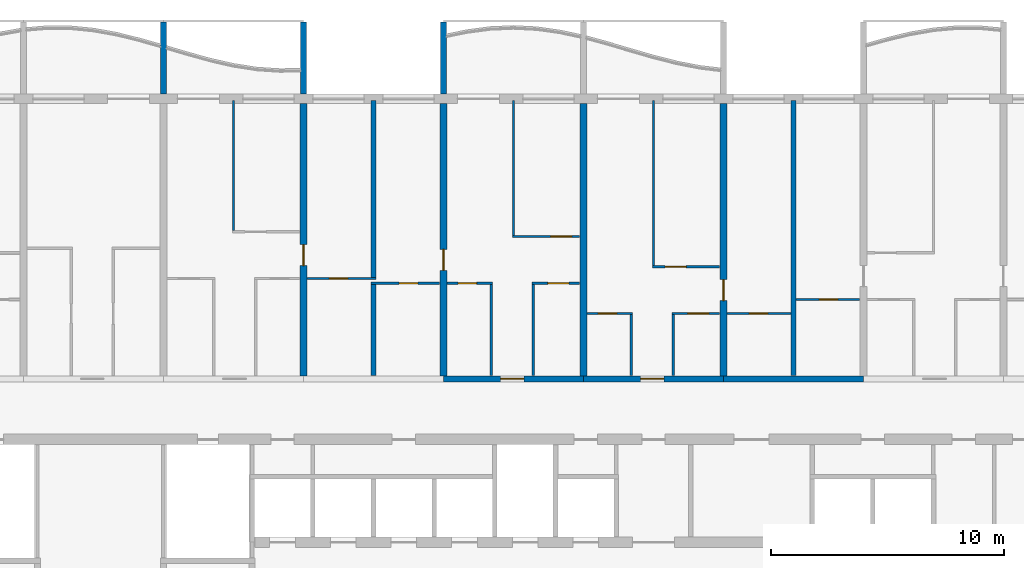
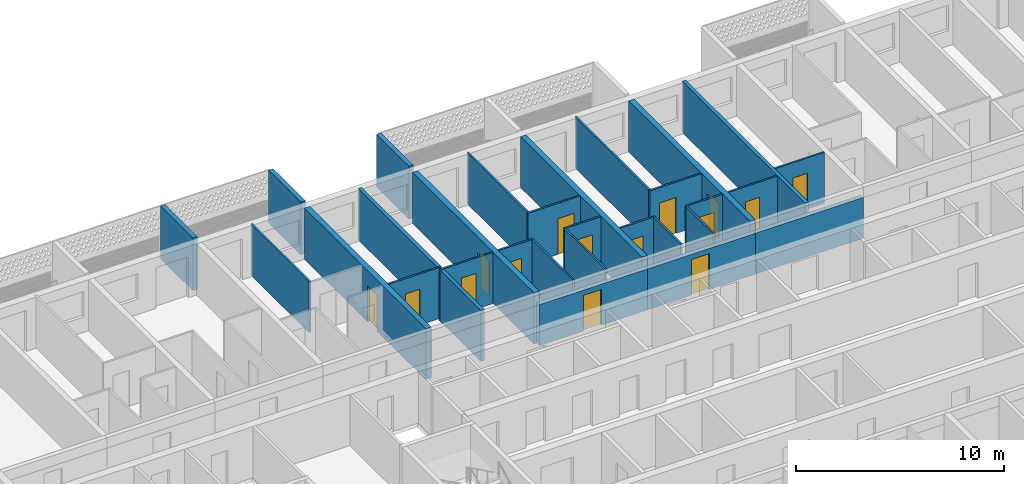
# One storey, part 9 of 32: 30 walls, 15 doors, 15 openings.
"""IFC4 building model written with IfcOpenShell, lengths in metres."""

from ifc_helpers import new_model, si_unit, direction, frame, frame_2d, origin, place, context, subcontext, project, spatial, polyline, rectangle, outline, extrude, source, transform, mapped, material, layer, layer_set, type_object, element, fill, save


model = new_model("IFC4")

# Units and contexts
model_context = context("Model", 3, precision=1e-05, world=origin(), true_north=direction((0.0, 1.0)))
body_context = subcontext(model_context, "Body", "Model", "MODEL_VIEW")
ifc_project = project(units=[si_unit("LENGTHUNIT", "METRE"), si_unit("AREAUNIT", "SQUARE_METRE"), si_unit("VOLUMEUNIT", "CUBIC_METRE"), si_unit("PLANEANGLEUNIT", "RADIAN"), si_unit("MASSUNIT", "GRAM", prefix="KILO")], contexts=[model_context])

# Site, building, storey
site_placement = place(None, origin())
site = spatial("IfcSite", under=ifc_project, at=site_placement, CompositionType="ELEMENT")
building_placement = place(site_placement, origin())
building = spatial("IfcBuilding", under=site, at=building_placement, Name="Poui Terraces", CompositionType="ELEMENT")
storey_placement = place(building_placement, frame((0.0, 0.0, 155.39990234375)))
storey = spatial("IfcBuildingStorey", under=building, at=storey_placement, Name="L43", CompositionType="ELEMENT", Elevation=155.39990234375)

# Wall, opening, door
ifc_material_1 = material(Name="Concrete 65 MPa", Category="concrete")
ifc_layer_1 = layer(ifc_material_1, 0.25)
ifc_layer_set_1 = layer_set([ifc_layer_1], Name="Concrete 65 MPa")
wall_type_1 = type_object("IfcWallType", Name="CORRIDOR WALL 250 65MPa", PredefinedType="SHEAR", material=ifc_layer_set_1)
wall_1_placement = place(storey_placement, frame((42.0, 30.39990234375, 0.0), z_axis=(0.0, 0.0, 1.0), x_axis=(1.0, 0.0, 0.0)))
wall_1 = element("IfcWall", 1, at=wall_1_placement, inside=storey, type_object=wall_type_1, Name="CORRIDOR WALL LINE E BAY 6", PredefinedType="SHEAR", context=body_context, shape_type="SweptSolid", body=[
    extrude(rectangle(XDim=6.0, YDim=0.25, at=frame_2d((3.0, 0.0))), origin(), (0.0, 0.0, 1.0), 2.400146484375),
])
opening_1_placement = place(wall_1_placement, frame((2.449951171875, 0.0, 0.0)))
opening_1 = element("IfcOpeningElement", 2, at=opening_1_placement, cuts=wall_1, Name="Opening FD30S", PredefinedType="OPENING", context=body_context, shape_type="SweptSolid", body=[
    extrude(rectangle(XDim=1.0, YDim=2.10009765625, at=frame_2d((0.5, 1.050048828125))), frame((0.0, 0.135009765625, 0.0), z_axis=(0.0, -1.0, 0.0), x_axis=(1.0, 0.0, 0.0)), (0.0, 0.0, 1.0), 0.27001953125),
])
ifc_material_2 = material(Name="Steel fire door", Category="steel")
door_type_1 = type_object("IfcDoorType", Name="FLAT ENTRANCE DOOR 1000 X 2100", OperationType="NOTDEFINED", PredefinedType="DOOR", material=ifc_material_2)
door_1_placement = place(opening_1_placement, origin())
door_1 = element("IfcDoor", 3, at=door_1_placement, inside=storey, type_object=door_type_1, Name="FLAT ENTRANCE DOOR 046", OperationType="SINGLE_SWING_LEFT", OverallHeight=2.10009765625, OverallWidth=1.0, PredefinedType="DOOR", context=body_context, shape_type="SweptSolid", body=[
    extrude(rectangle(XDim=1.0, YDim=2.10009765625, at=frame_2d((0.5, 1.050048828125))), frame((0.0, 0.02490234375, 0.0), z_axis=(0.0, -1.0, 0.0), x_axis=(1.0, 0.0, 0.0)), (0.0, 0.0, 1.0), 0.050048828125),
])
fill(opening_1, door_1)

wall_2_placement = place(storey_placement, frame((48.0, 30.39990234375, 0.0), z_axis=(0.0, 0.0, 1.0), x_axis=(1.0, 0.0, 0.0)))
wall_2 = element("IfcWall", 4, at=wall_2_placement, inside=storey, type_object=wall_type_1, Name="CORRIDOR WALL LINE E BAY 7", PredefinedType="SHEAR", context=body_context, shape_type="SweptSolid", body=[
    extrude(rectangle(XDim=6.0, YDim=0.25, at=frame_2d((3.0, 0.0))), origin(), (0.0, 0.0, 1.0), 2.400146484375),
])
opening_2_placement = place(wall_2_placement, frame((2.449951171875, 0.0, 0.0)))
opening_2 = element("IfcOpeningElement", 5, at=opening_2_placement, cuts=wall_2, Name="Opening FD30S", PredefinedType="OPENING", context=body_context, shape_type="SweptSolid", body=[
    extrude(rectangle(XDim=1.0, YDim=2.10009765625, at=frame_2d((0.5, 1.050048828125))), frame((0.0, 0.135009765625, 0.0), z_axis=(0.0, -1.0, 0.0), x_axis=(1.0, 0.0, 0.0)), (0.0, 0.0, 1.0), 0.27001953125),
])
door_2_placement = place(opening_2_placement, origin())
door_2 = element("IfcDoor", 6, at=door_2_placement, inside=storey, type_object=door_type_1, Name="FLAT ENTRANCE DOOR 051", OperationType="SINGLE_SWING_LEFT", OverallHeight=2.10009765625, OverallWidth=1.0, PredefinedType="DOOR", context=body_context, shape_type="SweptSolid", body=[
    extrude(rectangle(XDim=1.0, YDim=2.10009765625, at=frame_2d((0.5, 1.050048828125))), frame((0.0, 0.02490234375, 0.0), z_axis=(0.0, -1.0, 0.0), x_axis=(1.0, 0.0, 0.0)), (0.0, 0.0, 1.0), 0.050048828125),
])
fill(opening_2, door_2)

# Wall
wall_3_placement = place(storey_placement, frame((54.0, 30.39990234375, 0.0), z_axis=(0.0, 0.0, 1.0), x_axis=(1.0, 0.0, 0.0)))
element("IfcWall", 7, at=wall_3_placement, inside=storey, type_object=wall_type_1, Name="CORRIDOR WALL LINE E BAY 8", PredefinedType="SHEAR", context=body_context, shape_type="SweptSolid", body=[
    extrude(rectangle(XDim=6.0, YDim=0.25, at=frame_2d((3.0, 0.0))), origin(), (0.0, 0.0, 1.0), 2.400146484375),
])

# Wall, opening, door
ifc_layer_2 = layer(ifc_material_1, 0.300048828125)
ifc_layer_set_2 = layer_set([ifc_layer_2], Name="Concrete 65 MPa")
wall_type_2 = type_object("IfcWallType", Name="CROSS WALL 300 65MPa", PredefinedType="SHEAR", material=ifc_layer_set_2)
wall_4_placement = place(storey_placement, frame((36.0, 30.52490234375, 0.0), z_axis=(0.0, 0.0, 1.0), x_axis=(0.0, 1.0, 0.0)))
wall_4 = element("IfcWall", 8, at=wall_4_placement, inside=storey, type_object=wall_type_2, Name="CROSS WALL LINE 7 NORTH", PredefinedType="SHEAR", context=body_context, shape_type="SweptSolid", body=[
    extrude(rectangle(XDim=11.675048828125, YDim=0.300048828125, at=frame_2d((5.83740234375, 0.0))), origin(), (0.0, 0.0, 1.0), 3.0),
])
opening_3_placement = place(wall_4_placement, frame((4.72509765625, 0.0, 0.0)))
opening_3 = element("IfcOpeningElement", 9, at=opening_3_placement, cuts=wall_4, Name="Opening D90", PredefinedType="OPENING", context=body_context, shape_type="SweptSolid", body=[
    extrude(rectangle(XDim=0.89990234375, YDim=2.10009765625, at=frame_2d((0.449951171875, 1.050048828125))), frame((0.0, 0.16015625, 0.0), z_axis=(0.0, -1.0, 0.0), x_axis=(1.0, 0.0, 0.0)), (0.0, 0.0, 1.0), 0.320068359375),
])
ifc_material_3 = material(Name="Solid core timber door", Category="wood")
door_type_2 = type_object("IfcDoorType", Name="INTERNAL DOOR 900 X 2100", OperationType="NOTDEFINED", PredefinedType="DOOR", material=ifc_material_3)
door_3_placement = place(opening_3_placement, frame((0.89990234375, 0.0, 0.0), z_axis=(0.0, 0.0, 1.0), x_axis=(-1.0, 0.0, 0.0)))
door_3 = element("IfcDoor", 10, at=door_3_placement, inside=storey, type_object=door_type_2, Name="INTERNAL DOOR 042", OperationType="SINGLE_SWING_RIGHT", OverallHeight=2.10009765625, OverallWidth=0.89990234375, PredefinedType="DOOR", context=body_context, shape_type="SweptSolid", body=[
    extrude(rectangle(XDim=0.89990234375, YDim=2.10009765625, at=frame_2d((0.449951171875, 1.050048828125))), frame((0.0, 0.02490234375, 0.0), z_axis=(0.0, -1.0, 0.0), x_axis=(1.0, 0.0, 0.0)), (0.0, 0.0, 1.0), 0.050048828125),
])
fill(opening_3, door_3)

wall_5_placement = place(storey_placement, frame((42.0, 30.52490234375, 0.0), z_axis=(0.0, 0.0, 1.0), x_axis=(0.0, 1.0, 0.0)))
wall_5 = element("IfcWall", 11, at=wall_5_placement, inside=storey, type_object=wall_type_2, Name="CROSS WALL LINE 8 NORTH", PredefinedType="SHEAR", context=body_context, shape_type="SweptSolid", body=[
    extrude(rectangle(XDim=11.675048828125, YDim=0.300048828125, at=frame_2d((5.83740234375, 0.0))), origin(), (0.0, 0.0, 1.0), 3.0),
])
opening_4_placement = place(wall_5_placement, frame((4.52490234375, 0.0, 0.0)))
opening_4 = element("IfcOpeningElement", 12, at=opening_4_placement, cuts=wall_5, Name="Opening D90", PredefinedType="OPENING", context=body_context, shape_type="SweptSolid", body=[
    extrude(rectangle(XDim=0.89990234375, YDim=2.10009765625, at=frame_2d((0.449951171875, 1.050048828125))), frame((0.0, 0.16015625, 0.0), z_axis=(0.0, -1.0, 0.0), x_axis=(1.0, 0.0, 0.0)), (0.0, 0.0, 1.0), 0.320068359375),
])
door_4_placement = place(opening_4_placement, origin())
door_4 = element("IfcDoor", 13, at=door_4_placement, inside=storey, type_object=door_type_2, Name="INTERNAL DOOR 044", OperationType="SINGLE_SWING_LEFT", OverallHeight=2.10009765625, OverallWidth=0.89990234375, PredefinedType="DOOR", context=body_context, shape_type="SweptSolid", body=[
    extrude(rectangle(XDim=0.89990234375, YDim=2.10009765625, at=frame_2d((0.449951171875, 1.050048828125))), frame((0.0, 0.02490234375, 0.0), z_axis=(0.0, -1.0, 0.0), x_axis=(1.0, 0.0, 0.0)), (0.0, 0.0, 1.0), 0.050048828125),
])
fill(opening_4, door_4)

# Wall
wall_6_placement = place(storey_placement, frame((48.0, 30.52490234375, 0.0), z_axis=(0.0, 0.0, 1.0), x_axis=(0.0, 1.0, 0.0)))
element("IfcWall", 14, at=wall_6_placement, inside=storey, type_object=wall_type_2, Name="CROSS WALL LINE 9 NORTH", PredefinedType="SHEAR", context=body_context, shape_type="SweptSolid", body=[
    extrude(rectangle(XDim=11.675048828125, YDim=0.300048828125, at=frame_2d((5.83740234375, 0.0))), origin(), (0.0, 0.0, 1.0), 3.0),
])

# Wall, opening, door
wall_7_placement = place(storey_placement, frame((54.0, 30.52490234375, 0.0), z_axis=(0.0, 0.0, 1.0), x_axis=(0.0, 1.0, 0.0)))
wall_7 = element("IfcWall", 15, at=wall_7_placement, inside=storey, type_object=wall_type_2, Name="CROSS WALL LINE 10 NORTH", PredefinedType="SHEAR", context=body_context, shape_type="SweptSolid", body=[
    extrude(rectangle(XDim=11.675048828125, YDim=0.300048828125, at=frame_2d((5.83740234375, 0.0))), origin(), (0.0, 0.0, 1.0), 3.0),
])
opening_5_placement = place(wall_7_placement, frame((3.22509765625, 0.0, 0.0)))
opening_5 = element("IfcOpeningElement", 16, at=opening_5_placement, cuts=wall_7, Name="Opening D90", PredefinedType="OPENING", context=body_context, shape_type="SweptSolid", body=[
    extrude(rectangle(XDim=0.89990234375, YDim=2.10009765625, at=frame_2d((0.449951171875, 1.050048828125))), frame((0.0, 0.16015625, 0.0), z_axis=(0.0, -1.0, 0.0), x_axis=(1.0, 0.0, 0.0)), (0.0, 0.0, 1.0), 0.320068359375),
])
door_5_placement = place(opening_5_placement, frame((0.89990234375, 0.0, 0.0), z_axis=(0.0, 0.0, 1.0), x_axis=(-1.0, 0.0, 0.0)))
door_5 = element("IfcDoor", 17, at=door_5_placement, inside=storey, type_object=door_type_2, Name="INTERNAL DOOR 054", OperationType="SINGLE_SWING_RIGHT", OverallHeight=2.10009765625, OverallWidth=0.89990234375, PredefinedType="DOOR", context=body_context, shape_type="SweptSolid", body=[
    extrude(rectangle(XDim=0.89990234375, YDim=2.10009765625, at=frame_2d((0.449951171875, 1.050048828125))), frame((0.0, 0.02490234375, 0.0), z_axis=(0.0, -1.0, 0.0), x_axis=(1.0, 0.0, 0.0)), (0.0, 0.0, 1.0), 0.050048828125),
])
fill(opening_5, door_5)

ifc_material_4 = material(Name="Plasterboard partition")
ifc_layer_3 = layer(ifc_material_4, 0.10009765625)
ifc_layer_set_3 = layer_set([ifc_layer_3], Name="Plasterboard partition")
wall_type_3 = type_object("IfcWallType", Name="FLAT PARTITION 100", PredefinedType="PARTITIONING", material=ifc_layer_set_3)
wall_8_placement = place(storey_placement, frame((48.159912109375, 33.199951171875, 0.0), z_axis=(0.0, 0.0, 1.0), x_axis=(1.0, 0.0, 0.0)))
wall_8 = element("IfcWall", 18, at=wall_8_placement, inside=storey, type_object=wall_type_3, Name="FLAT PARTITION 100", PredefinedType="PARTITIONING", context=body_context, shape_type="SweptSolid", body=[
    extrude(rectangle(XDim=1.940185546875, YDim=0.10009765625, at=frame_2d((0.97021484375, 0.0))), origin(), (0.0, 0.0, 1.0), 3.0),
])
opening_6_placement = place(wall_8_placement, frame((0.465087890625, 0.0, 0.0)))
opening_6 = element("IfcOpeningElement", 19, at=opening_6_placement, cuts=wall_8, Name="Opening D80", PredefinedType="OPENING", context=body_context, shape_type="SweptSolid", body=[
    extrude(rectangle(XDim=0.800048828125, YDim=2.10009765625, at=frame_2d((0.39990234375, 1.050048828125))), frame((0.0, 0.06005859375, 0.0), z_axis=(0.0, -1.0, 0.0), x_axis=(1.0, 0.0, 0.0)), (0.0, 0.0, 1.0), 0.1201171875),
])
door_type_3 = type_object("IfcDoorType", Name="BATHROOM, LAUNDRY AND STORE DOOR 800 X 2100", OperationType="NOTDEFINED", PredefinedType="DOOR", material=ifc_material_3)
door_6_placement = place(opening_6_placement, frame((0.800048828125, 0.0, 0.0), z_axis=(0.0, 0.0, 1.0), x_axis=(-1.0, 0.0, 0.0)))
door_6 = element("IfcDoor", 20, at=door_6_placement, inside=storey, type_object=door_type_3, Name="BATHROOM, LAUNDRY AND STORE DOOR 050", OperationType="SINGLE_SWING_LEFT", OverallHeight=2.10009765625, OverallWidth=0.800048828125, PredefinedType="DOOR", context=body_context, shape_type="SweptSolid", body=[
    extrude(rectangle(XDim=0.800048828125, YDim=2.10009765625, at=frame_2d((0.39990234375, 1.050048828125))), frame((0.0, 0.02490234375, 0.0), z_axis=(0.0, -1.0, 0.0), x_axis=(1.0, 0.0, 0.0)), (0.0, 0.0, 1.0), 0.050048828125),
])
fill(opening_6, door_6)

wall_9_placement = place(storey_placement, frame((51.800048828125, 33.199951171875, 0.0), z_axis=(0.0, 0.0, 1.0), x_axis=(1.0, 0.0, 0.0)))
wall_9 = element("IfcWall", 21, at=wall_9_placement, inside=storey, type_object=wall_type_3, Name="FLAT PARTITION 100", PredefinedType="PARTITIONING", context=body_context, shape_type="SweptSolid", body=[
    extrude(rectangle(XDim=2.0400390625, YDim=0.10009765625, at=frame_2d((1.02001953125, 0.0))), origin(), (0.0, 0.0, 1.0), 3.0),
])
opening_7_placement = place(wall_9_placement, frame((0.675048828125, 0.0, 0.0)))
opening_7 = element("IfcOpeningElement", 22, at=opening_7_placement, cuts=wall_9, Name="Opening D90", PredefinedType="OPENING", context=body_context, shape_type="SweptSolid", body=[
    extrude(rectangle(XDim=0.89990234375, YDim=2.10009765625, at=frame_2d((0.449951171875, 1.050048828125))), frame((0.0, 0.06005859375, 0.0), z_axis=(0.0, -1.0, 0.0), x_axis=(1.0, 0.0, 0.0)), (0.0, 0.0, 1.0), 0.1201171875),
])
door_7_placement = place(opening_7_placement, frame((0.89990234375, 0.0, 0.0), z_axis=(0.0, 0.0, 1.0), x_axis=(-1.0, 0.0, 0.0)))
door_7 = element("IfcDoor", 23, at=door_7_placement, inside=storey, type_object=door_type_2, Name="INTERNAL DOOR 053", OperationType="SINGLE_SWING_RIGHT", OverallHeight=2.10009765625, OverallWidth=0.89990234375, PredefinedType="DOOR", context=body_context, shape_type="SweptSolid", body=[
    extrude(rectangle(XDim=0.89990234375, YDim=2.10009765625, at=frame_2d((0.449951171875, 1.050048828125))), frame((0.0, 0.02490234375, 0.0), z_axis=(0.0, -1.0, 0.0), x_axis=(1.0, 0.0, 0.0)), (0.0, 0.0, 1.0), 0.050048828125),
])
fill(opening_7, door_7)

wall_10_placement = place(storey_placement, frame((54.159912109375, 33.199951171875, 0.0), z_axis=(0.0, 0.0, 1.0), x_axis=(1.0, 0.0, 0.0)))
wall_10 = element("IfcWall", 24, at=wall_10_placement, inside=storey, type_object=wall_type_3, Name="FLAT PARTITION 100", PredefinedType="PARTITIONING", context=body_context, shape_type="SweptSolid", body=[
    extrude(rectangle(XDim=2.739990234375, YDim=0.10009765625, at=frame_2d((1.3701171875, 0.0))), origin(), (0.0, 0.0, 1.0), 3.0),
])
opening_8_placement = place(wall_10_placement, frame((0.93994140625, 0.0, 0.0)))
opening_8 = element("IfcOpeningElement", 25, at=opening_8_placement, cuts=wall_10, Name="Opening D80", PredefinedType="OPENING", context=body_context, shape_type="SweptSolid", body=[
    extrude(rectangle(XDim=0.800048828125, YDim=2.10009765625, at=frame_2d((0.39990234375, 1.050048828125))), frame((0.0, 0.06005859375, 0.0), z_axis=(0.0, -1.0, 0.0), x_axis=(1.0, 0.0, 0.0)), (0.0, 0.0, 1.0), 0.1201171875),
])
door_8_placement = place(opening_8_placement, frame((0.800048828125, 0.0, 0.0), z_axis=(0.0, 0.0, 1.0), x_axis=(-1.0, 0.0, 0.0)))
door_8 = element("IfcDoor", 26, at=door_8_placement, inside=storey, type_object=door_type_3, Name="BATHROOM, LAUNDRY AND STORE DOOR 049", OperationType="SINGLE_SWING_LEFT", OverallHeight=2.10009765625, OverallWidth=0.800048828125, PredefinedType="DOOR", context=body_context, shape_type="SweptSolid", body=[
    extrude(rectangle(XDim=0.800048828125, YDim=2.10009765625, at=frame_2d((0.39990234375, 1.050048828125))), frame((0.0, 0.02490234375, 0.0), z_axis=(0.0, -1.0, 0.0), x_axis=(1.0, 0.0, 0.0)), (0.0, 0.0, 1.0), 0.050048828125),
])
fill(opening_8, door_8)

wall_11_placement = place(storey_placement, frame((57.10009765625, 33.800048828125, 0.0), z_axis=(0.0, 0.0, 1.0), x_axis=(1.0, 0.0, 0.0)))
wall_11 = element("IfcWall", 27, at=wall_11_placement, inside=storey, type_object=wall_type_3, Name="FLAT PARTITION 100", PredefinedType="PARTITIONING", context=body_context, shape_type="SweptSolid", body=[
    extrude(rectangle(XDim=2.739990234375, YDim=0.10009765625, at=frame_2d((1.3701171875, 0.0))), origin(), (0.0, 0.0, 1.0), 3.0),
])
opening_9_placement = place(wall_11_placement, frame((1.0, 0.0, 0.0)))
opening_9 = element("IfcOpeningElement", 28, at=opening_9_placement, cuts=wall_11, Name="Opening D80", PredefinedType="OPENING", context=body_context, shape_type="SweptSolid", body=[
    extrude(rectangle(XDim=0.800048828125, YDim=2.10009765625, at=frame_2d((0.39990234375, 1.050048828125))), frame((0.0, 0.06005859375, 0.0), z_axis=(0.0, -1.0, 0.0), x_axis=(1.0, 0.0, 0.0)), (0.0, 0.0, 1.0), 0.1201171875),
])
door_9_placement = place(opening_9_placement, frame((0.800048828125, 0.0, 0.0), z_axis=(0.0, 0.0, 1.0), x_axis=(-1.0, 0.0, 0.0)))
door_9 = element("IfcDoor", 29, at=door_9_placement, inside=storey, type_object=door_type_3, Name="BATHROOM, LAUNDRY AND STORE DOOR 055", OperationType="SINGLE_SWING_RIGHT", OverallHeight=2.10009765625, OverallWidth=0.800048828125, PredefinedType="DOOR", context=body_context, shape_type="SweptSolid", body=[
    extrude(rectangle(XDim=0.800048828125, YDim=2.10009765625, at=frame_2d((0.39990234375, 1.050048828125))), frame((0.0, 0.02490234375, 0.0), z_axis=(0.0, -1.0, 0.0), x_axis=(1.0, 0.0, 0.0)), (0.0, 0.0, 1.0), 0.050048828125),
])
fill(opening_9, door_9)

wall_12_placement = place(storey_placement, frame((38.89990234375, 34.5, 0.0), z_axis=(0.0, 0.0, 1.0), x_axis=(1.0, 0.0, 0.0)))
wall_12 = element("IfcWall", 30, at=wall_12_placement, inside=storey, type_object=wall_type_3, Name="FLAT PARTITION 100", PredefinedType="PARTITIONING", context=body_context, shape_type="SweptSolid", body=[
    extrude(rectangle(XDim=2.940185546875, YDim=0.10009765625, at=frame_2d((1.47021484375, 0.0))), origin(), (0.0, 0.0, 1.0), 3.0),
])
opening_10_placement = place(wall_12_placement, frame((1.199951171875, 0.0, 0.0)))
opening_10 = element("IfcOpeningElement", 31, at=opening_10_placement, cuts=wall_12, Name="Opening D80", PredefinedType="OPENING", context=body_context, shape_type="SweptSolid", body=[
    extrude(rectangle(XDim=0.800048828125, YDim=2.10009765625, at=frame_2d((0.39990234375, 1.050048828125))), frame((0.0, 0.06005859375, 0.0), z_axis=(0.0, -1.0, 0.0), x_axis=(1.0, 0.0, 0.0)), (0.0, 0.0, 1.0), 0.1201171875),
])
door_10_placement = place(opening_10_placement, frame((0.800048828125, 0.0, 0.0), z_axis=(0.0, 0.0, 1.0), x_axis=(-1.0, 0.0, 0.0)))
door_10 = element("IfcDoor", 32, at=door_10_placement, inside=storey, type_object=door_type_3, Name="BATHROOM, LAUNDRY AND STORE DOOR 043", OperationType="SINGLE_SWING_RIGHT", OverallHeight=2.10009765625, OverallWidth=0.800048828125, PredefinedType="DOOR", context=body_context, shape_type="SweptSolid", body=[
    extrude(rectangle(XDim=0.800048828125, YDim=2.10009765625, at=frame_2d((0.39990234375, 1.050048828125))), frame((0.0, 0.02490234375, 0.0), z_axis=(0.0, -1.0, 0.0), x_axis=(1.0, 0.0, 0.0)), (0.0, 0.0, 1.0), 0.050048828125),
])
fill(opening_10, door_10)

wall_13_placement = place(storey_placement, frame((42.159912109375, 34.5, 0.0), z_axis=(0.0, 0.0, 1.0), x_axis=(1.0, 0.0, 0.0)))
wall_13 = element("IfcWall", 33, at=wall_13_placement, inside=storey, type_object=wall_type_3, Name="FLAT PARTITION 100", PredefinedType="PARTITIONING", context=body_context, shape_type="SweptSolid", body=[
    extrude(rectangle(XDim=1.940185546875, YDim=0.10009765625, at=frame_2d((0.97021484375, 0.0))), origin(), (0.0, 0.0, 1.0), 3.0),
])
opening_11_placement = place(wall_13_placement, frame((0.465087890625, 0.0, 0.0)))
opening_11 = element("IfcOpeningElement", 34, at=opening_11_placement, cuts=wall_13, Name="Opening D80", PredefinedType="OPENING", context=body_context, shape_type="SweptSolid", body=[
    extrude(rectangle(XDim=0.800048828125, YDim=2.10009765625, at=frame_2d((0.39990234375, 1.050048828125))), frame((0.0, 0.06005859375, 0.0), z_axis=(0.0, -1.0, 0.0), x_axis=(1.0, 0.0, 0.0)), (0.0, 0.0, 1.0), 0.1201171875),
])
door_11_placement = place(opening_11_placement, frame((0.800048828125, 0.0, 0.0), z_axis=(0.0, 0.0, 1.0), x_axis=(-1.0, 0.0, 0.0)))
door_11 = element("IfcDoor", 35, at=door_11_placement, inside=storey, type_object=door_type_3, Name="BATHROOM, LAUNDRY AND STORE DOOR 045", OperationType="SINGLE_SWING_RIGHT", OverallHeight=2.10009765625, OverallWidth=0.800048828125, PredefinedType="DOOR", context=body_context, shape_type="SweptSolid", body=[
    extrude(rectangle(XDim=0.800048828125, YDim=2.10009765625, at=frame_2d((0.39990234375, 1.050048828125))), frame((0.0, 0.02490234375, 0.0), z_axis=(0.0, -1.0, 0.0), x_axis=(1.0, 0.0, 0.0)), (0.0, 0.0, 1.0), 0.050048828125),
])
fill(opening_11, door_11)

wall_14_placement = place(storey_placement, frame((45.800048828125, 34.5, 0.0), z_axis=(0.0, 0.0, 1.0), x_axis=(1.0, 0.0, 0.0)))
wall_14 = element("IfcWall", 36, at=wall_14_placement, inside=storey, type_object=wall_type_3, Name="FLAT PARTITION 100", PredefinedType="PARTITIONING", context=body_context, shape_type="SweptSolid", body=[
    extrude(rectangle(XDim=2.0400390625, YDim=0.10009765625, at=frame_2d((1.02001953125, 0.0))), origin(), (0.0, 0.0, 1.0), 3.0),
])
opening_12_placement = place(wall_14_placement, frame((0.675048828125, 0.0, 0.0)))
opening_12 = element("IfcOpeningElement", 37, at=opening_12_placement, cuts=wall_14, Name="Opening D90", PredefinedType="OPENING", context=body_context, shape_type="SweptSolid", body=[
    extrude(rectangle(XDim=0.89990234375, YDim=2.10009765625, at=frame_2d((0.449951171875, 1.050048828125))), frame((0.0, 0.06005859375, 0.0), z_axis=(0.0, -1.0, 0.0), x_axis=(1.0, 0.0, 0.0)), (0.0, 0.0, 1.0), 0.1201171875),
])
door_12_placement = place(opening_12_placement, frame((0.89990234375, 0.0, 0.0), z_axis=(0.0, 0.0, 1.0), x_axis=(-1.0, 0.0, 0.0)))
door_12 = element("IfcDoor", 38, at=door_12_placement, inside=storey, type_object=door_type_2, Name="INTERNAL DOOR 047", OperationType="SINGLE_SWING_LEFT", OverallHeight=2.10009765625, OverallWidth=0.89990234375, PredefinedType="DOOR", context=body_context, shape_type="SweptSolid", body=[
    extrude(rectangle(XDim=0.89990234375, YDim=2.10009765625, at=frame_2d((0.449951171875, 1.050048828125))), frame((0.0, 0.02490234375, 0.0), z_axis=(0.0, -1.0, 0.0), x_axis=(1.0, 0.0, 0.0)), (0.0, 0.0, 1.0), 0.050048828125),
])
fill(opening_12, door_12)

wall_15_placement = place(storey_placement, frame((36.159912109375, 34.699951171875, 0.0), z_axis=(0.0, 0.0, 1.0), x_axis=(1.0, 0.0, 0.0)))
wall_15 = element("IfcWall", 39, at=wall_15_placement, inside=storey, type_object=wall_type_3, Name="FLAT PARTITION 100", PredefinedType="PARTITIONING", context=body_context, shape_type="SweptSolid", body=[
    extrude(rectangle(XDim=2.940185546875, YDim=0.10009765625, at=frame_2d((1.47021484375, 0.0))), origin(), (0.0, 0.0, 1.0), 3.0),
])
opening_13_placement = place(wall_15_placement, frame((0.93994140625, 0.0, 0.0)))
opening_13 = element("IfcOpeningElement", 40, at=opening_13_placement, cuts=wall_15, Name="Opening D80", PredefinedType="OPENING", context=body_context, shape_type="SweptSolid", body=[
    extrude(rectangle(XDim=0.800048828125, YDim=2.10009765625, at=frame_2d((0.39990234375, 1.050048828125))), frame((0.0, 0.06005859375, 0.0), z_axis=(0.0, -1.0, 0.0), x_axis=(1.0, 0.0, 0.0)), (0.0, 0.0, 1.0), 0.1201171875),
])
door_13_placement = place(opening_13_placement, frame((0.800048828125, 0.0, 0.0), z_axis=(0.0, 0.0, 1.0), x_axis=(-1.0, 0.0, 0.0)))
door_13 = element("IfcDoor", 41, at=door_13_placement, inside=storey, type_object=door_type_3, Name="BATHROOM, LAUNDRY AND STORE DOOR 037", OperationType="SINGLE_SWING_LEFT", OverallHeight=2.10009765625, OverallWidth=0.800048828125, PredefinedType="DOOR", context=body_context, shape_type="SweptSolid", body=[
    extrude(rectangle(XDim=0.800048828125, YDim=2.10009765625, at=frame_2d((0.39990234375, 1.050048828125))), frame((0.0, 0.02490234375, 0.0), z_axis=(0.0, -1.0, 0.0), x_axis=(1.0, 0.0, 0.0)), (0.0, 0.0, 1.0), 0.050048828125),
])
fill(opening_13, door_13)

wall_16_placement = place(storey_placement, frame((50.949951171875, 35.199951171875, 0.0), z_axis=(0.0, 0.0, 1.0), x_axis=(1.0, 0.0, 0.0)))
wall_16 = element("IfcWall", 42, at=wall_16_placement, inside=storey, type_object=wall_type_3, Name="FLAT PARTITION 100", PredefinedType="PARTITIONING", context=body_context, shape_type="SweptSolid", body=[
    extrude(rectangle(XDim=2.89013671875, YDim=0.10009765625, at=frame_2d((1.445068359375, 0.0))), origin(), (0.0, 0.0, 1.0), 3.0),
])
opening_14_placement = place(wall_16_placement, frame((0.550048828125, 0.0, 0.0)))
opening_14 = element("IfcOpeningElement", 43, at=opening_14_placement, cuts=wall_16, Name="Opening D90", PredefinedType="OPENING", context=body_context, shape_type="SweptSolid", body=[
    extrude(rectangle(XDim=0.89990234375, YDim=2.10009765625, at=frame_2d((0.449951171875, 1.050048828125))), frame((0.0, 0.06005859375, 0.0), z_axis=(0.0, -1.0, 0.0), x_axis=(1.0, 0.0, 0.0)), (0.0, 0.0, 1.0), 0.1201171875),
])
door_14_placement = place(opening_14_placement, frame((0.89990234375, 0.0, 0.0), z_axis=(0.0, 0.0, 1.0), x_axis=(-1.0, 0.0, 0.0)))
door_14 = element("IfcDoor", 44, at=door_14_placement, inside=storey, type_object=door_type_2, Name="INTERNAL DOOR 052", OperationType="SINGLE_SWING_LEFT", OverallHeight=2.10009765625, OverallWidth=0.89990234375, PredefinedType="DOOR", context=body_context, shape_type="SweptSolid", body=[
    extrude(rectangle(XDim=0.89990234375, YDim=2.10009765625, at=frame_2d((0.449951171875, 1.050048828125))), frame((0.0, 0.02490234375, 0.0), z_axis=(0.0, -1.0, 0.0), x_axis=(1.0, 0.0, 0.0)), (0.0, 0.0, 1.0), 0.050048828125),
])
fill(opening_14, door_14)

wall_17_placement = place(storey_placement, frame((44.949951171875, 36.5, 0.0), z_axis=(0.0, 0.0, 1.0), x_axis=(1.0, 0.0, 0.0)))
wall_17 = element("IfcWall", 45, at=wall_17_placement, inside=storey, type_object=wall_type_3, Name="FLAT PARTITION 100", PredefinedType="PARTITIONING", context=body_context, shape_type="SweptSolid", body=[
    extrude(rectangle(XDim=2.89013671875, YDim=0.10009765625, at=frame_2d((1.445068359375, 0.0))), origin(), (0.0, 0.0, 1.0), 3.0),
])
opening_15_placement = place(wall_17_placement, frame((1.64990234375, 0.0, 0.0)))
opening_15 = element("IfcOpeningElement", 46, at=opening_15_placement, cuts=wall_17, Name="Opening D90", PredefinedType="OPENING", context=body_context, shape_type="SweptSolid", body=[
    extrude(rectangle(XDim=0.89990234375, YDim=2.10009765625, at=frame_2d((0.449951171875, 1.050048828125))), frame((0.0, 0.06005859375, 0.0), z_axis=(0.0, -1.0, 0.0), x_axis=(1.0, 0.0, 0.0)), (0.0, 0.0, 1.0), 0.1201171875),
])
door_15_placement = place(opening_15_placement, frame((0.89990234375, 0.0, 0.0), z_axis=(0.0, 0.0, 1.0), x_axis=(-1.0, 0.0, 0.0)))
door_15 = element("IfcDoor", 47, at=door_15_placement, inside=storey, type_object=door_type_2, Name="INTERNAL DOOR 048", OperationType="SINGLE_SWING_RIGHT", OverallHeight=2.10009765625, OverallWidth=0.89990234375, PredefinedType="DOOR", context=body_context, shape_type="SweptSolid", body=[
    extrude(rectangle(XDim=0.89990234375, YDim=2.10009765625, at=frame_2d((0.449951171875, 1.050048828125))), frame((0.0, 0.02490234375, 0.0), z_axis=(0.0, -1.0, 0.0), x_axis=(1.0, 0.0, 0.0)), (0.0, 0.0, 1.0), 0.050048828125),
])
fill(opening_15, door_15)

# Walls
wall_18_placement = place(storey_placement, frame((33.0, 36.75, 0.0), z_axis=(0.0, 0.0, 1.0), x_axis=(0.0, 1.0, 0.0)))
element("IfcWall", 48, at=wall_18_placement, inside=storey, type_object=wall_type_3, Name="FLAT PARTITION 100", PredefinedType="PARTITIONING", context=body_context, shape_type="SweptSolid", body=[
    extrude(rectangle(XDim=5.590087890625, YDim=0.10009765625, at=frame_2d((2.794921875, 0.0))), origin(), (0.0, 0.0, 1.0), 3.0),
])
wall_19_placement = place(storey_placement, frame((44.050048828125, 30.534912109375, 0.0), z_axis=(0.0, 0.0, 1.0), x_axis=(0.0, 1.0, 0.0)))
element("IfcWall", 49, at=wall_19_placement, inside=storey, type_object=wall_type_3, Name="FLAT PARTITION 100", PredefinedType="PARTITIONING", context=body_context, shape_type="SweptSolid", body=[
    extrude(rectangle(XDim=3.9150390625, YDim=0.10009765625, at=frame_2d((1.95751953125, 0.0))), origin(), (0.0, 0.0, 1.0), 3.0),
])
wall_20_placement = place(storey_placement, frame((45.0, 36.550048828125, 0.0), z_axis=(0.0, 0.0, 1.0), x_axis=(0.0, 1.0, 0.0)))
element("IfcWall", 50, at=wall_20_placement, inside=storey, type_object=wall_type_3, Name="FLAT PARTITION 100", PredefinedType="PARTITIONING", context=body_context, shape_type="SweptSolid", body=[
    extrude(rectangle(XDim=5.7900390625, YDim=0.10009765625, at=frame_2d((2.89501953125, 0.0))), origin(), (0.0, 0.0, 1.0), 3.0),
])
wall_21_placement = place(storey_placement, frame((45.85009765625, 30.534912109375, 0.0), z_axis=(0.0, 0.0, 1.0), x_axis=(0.0, 1.0, 0.0)))
element("IfcWall", 51, at=wall_21_placement, inside=storey, type_object=wall_type_3, Name="FLAT PARTITION 100", PredefinedType="PARTITIONING", context=body_context, shape_type="SweptSolid", body=[
    extrude(rectangle(XDim=3.9150390625, YDim=0.10009765625, at=frame_2d((1.95751953125, 0.0))), origin(), (0.0, 0.0, 1.0), 3.0),
])
wall_22_placement = place(storey_placement, frame((50.050048828125, 30.534912109375, 0.0), z_axis=(0.0, 0.0, 1.0), x_axis=(0.0, 1.0, 0.0)))
element("IfcWall", 52, at=wall_22_placement, inside=storey, type_object=wall_type_3, Name="FLAT PARTITION 100", PredefinedType="PARTITIONING", context=body_context, shape_type="SweptSolid", body=[
    extrude(rectangle(XDim=2.614990234375, YDim=0.10009765625, at=frame_2d((1.3076171875, 0.0))), origin(), (0.0, 0.0, 1.0), 3.0),
])
wall_23_placement = place(storey_placement, frame((51.0, 35.25, 0.0), z_axis=(0.0, 0.0, 1.0), x_axis=(0.0, 1.0, 0.0)))
element("IfcWall", 53, at=wall_23_placement, inside=storey, type_object=wall_type_3, Name="FLAT PARTITION 100", PredefinedType="PARTITIONING", context=body_context, shape_type="SweptSolid", body=[
    extrude(rectangle(XDim=7.090087890625, YDim=0.10009765625, at=frame_2d((3.544921875, 0.0))), origin(), (0.0, 0.0, 1.0), 3.0),
])
wall_24_placement = place(storey_placement, frame((51.85009765625, 30.534912109375, 0.0), z_axis=(0.0, 0.0, 1.0), x_axis=(0.0, 1.0, 0.0)))
element("IfcWall", 54, at=wall_24_placement, inside=storey, type_object=wall_type_3, Name="FLAT PARTITION 100", PredefinedType="PARTITIONING", context=body_context, shape_type="SweptSolid", body=[
    extrude(rectangle(XDim=2.614990234375, YDim=0.10009765625, at=frame_2d((1.3076171875, 0.0))), origin(), (0.0, 0.0, 1.0), 3.0),
])
ifc_material_5 = material(Name="Fire-rated masonry wall", Category="masonry")
ifc_layer_4 = layer(ifc_material_5, 0.199951171875)
ifc_layer_set_4 = layer_set([ifc_layer_4], Name="Fire-rated masonry wall")
wall_type_4 = type_object("IfcWallType", Name="FLAT PARTY WALL 200", PredefinedType="PARTITIONING", material=ifc_layer_set_4)
wall_25_placement = place(storey_placement, frame((39.0, 30.534912109375, 0.0), z_axis=(0.0, 0.0, 1.0), x_axis=(0.0, 1.0, 0.0)))
element("IfcWall", 55, at=wall_25_placement, inside=storey, type_object=wall_type_4, Name="FLAT PARTY WALL 200", PredefinedType="PARTITIONING", context=body_context, shape_type="SweptSolid", body=[
    extrude(rectangle(XDim=3.9150390625, YDim=0.199951171875, at=frame_2d((1.95751953125, 0.0))), origin(), (0.0, 0.0, 1.0), 3.0),
])
wall_26_placement = place(storey_placement, frame((39.0, 34.75, 0.0), z_axis=(0.0, 0.0, 1.0), x_axis=(0.0, 1.0, 0.0)))
element("IfcWall", 56, at=wall_26_placement, inside=storey, type_object=wall_type_4, Name="FLAT PARTY WALL 200", PredefinedType="PARTITIONING", context=body_context, shape_type="SweptSolid", body=[
    extrude(rectangle(XDim=7.590087890625, YDim=0.199951171875, at=frame_2d((3.794921875, 0.0))), origin(), (0.0, 0.0, 1.0), 3.0),
])
wall_27_placement = place(storey_placement, frame((57.0, 30.534912109375, 0.0), z_axis=(0.0, 0.0, 1.0), x_axis=(0.0, 1.0, 0.0)))
element("IfcWall", 57, at=wall_27_placement, inside=storey, type_object=wall_type_4, Name="FLAT PARTY WALL 200", PredefinedType="PARTITIONING", context=body_context, shape_type="SweptSolid", body=[
    extrude(rectangle(XDim=11.80517578125, YDim=0.199951171875, at=frame_2d((5.902587890625, 0.0))), origin(), (0.0, 0.0, 1.0), 3.0),
])
ifc_material_6 = material(Name="Precast concrete 40 MPa", Category="concrete")
ifc_layer_5 = layer(ifc_material_6, 0.25)
ifc_layer_set_5 = layer_set([ifc_layer_5], Name="Precast concrete 40 MPa")
wall_type_5 = type_object("IfcWallType", Name="BALCONY FIN 250", PredefinedType="STANDARD", material=ifc_layer_set_5)
shared_shape = source(origin(), body_context, "Body", "SweptSolid", [
    extrude(outline(polyline([(0.0, 0.0), (0.25, 0.0), (0.25, 3.099853515625), (0.0, 3.099853515625), (0.0, 0.0)])), origin(), (0.0, 0.0, 1.0), 3.10009765625),
])
for number, where, name in (
    (58, (29.875, 42.60009765625, 0.0), "BALCONY FIN"),
    (59, (35.875, 42.60009765625, 0.0), "BALCONY FIN"),
    (60, (41.875, 42.60009765625, 0.0), "BALCONY FIN"),
):
    element("IfcWall", number, at=place(storey_placement, frame(where)), inside=storey, type_object=wall_type_5, Name=name, PredefinedType="STANDARD", context=body_context, shape_type="MappedRepresentation", body=[
        mapped(shared_shape, transform((0.0, 0.0, 0.0))),
    ])

save(model, "model.ifc")
